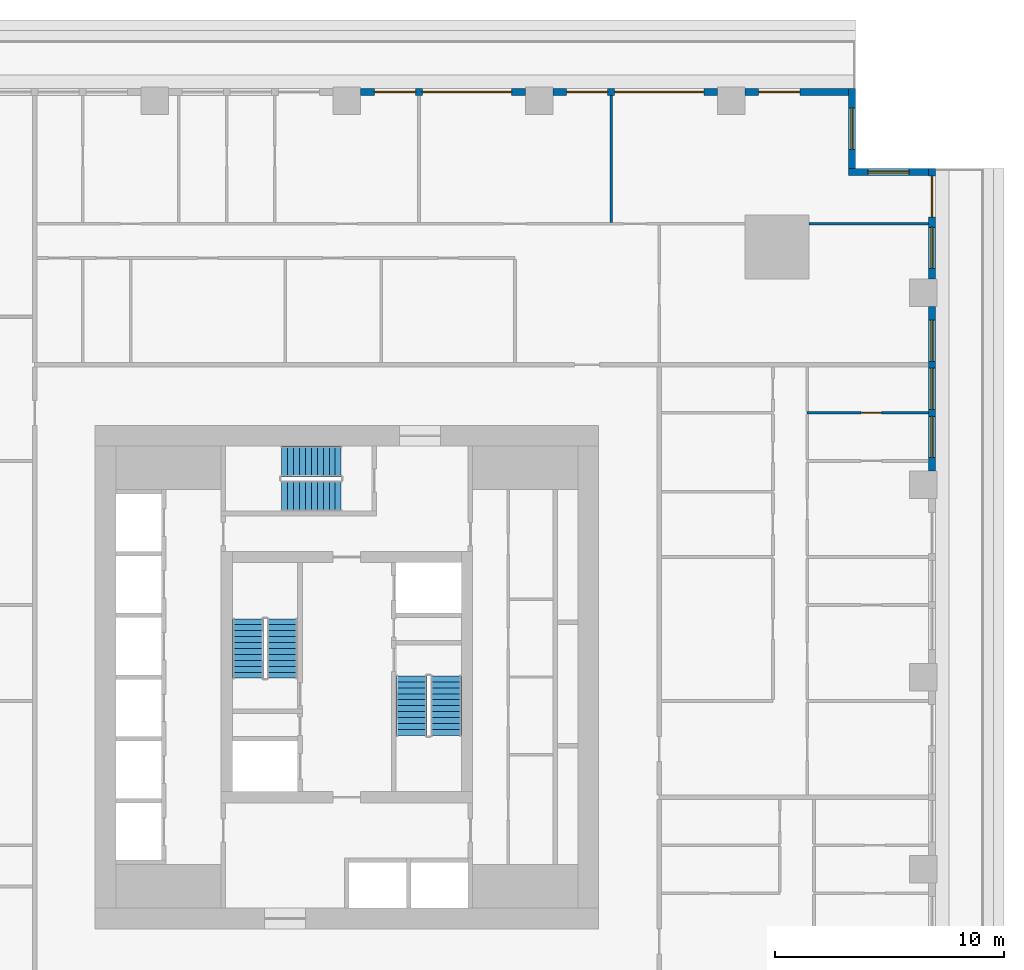
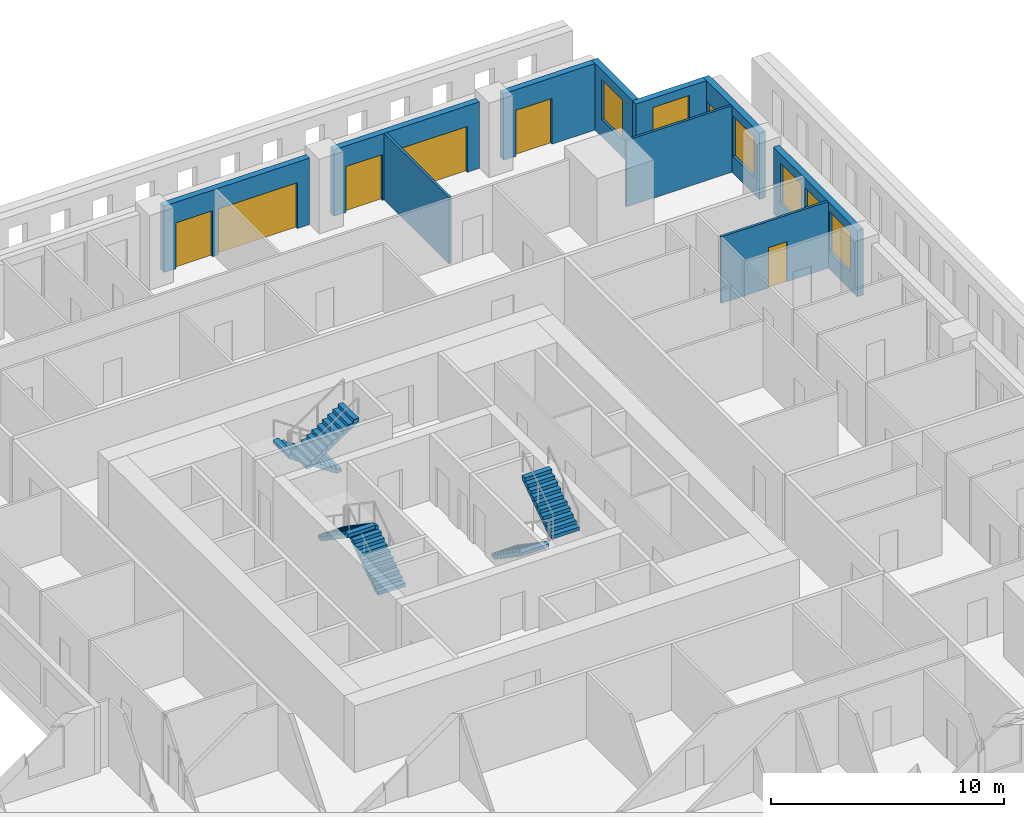
# One storey, part 9 of 14: 10 walls, 7 doors, 6 stair flights, 6 windows, 13 openings, 3 elements without a shape of their own.
"""IFC4 building model written with IfcOpenShell, lengths in metres."""

from ifc_helpers import new_model, si_unit, direction, frame, frame_2d, origin, place, context, subcontext, project, spatial, polyline, rectangle, outline, extrude, material, layer, layer_set, type_object, element, fill, aggregate, save


model = new_model("IFC4")

# Units and contexts
model_context = context("Model", 3, precision=1e-05, world=origin(), true_north=direction((0.0, 1.0)))
body_context = subcontext(model_context, "Body", "Model", "MODEL_VIEW")
ifc_project = project(units=[si_unit("LENGTHUNIT", "METRE"), si_unit("AREAUNIT", "SQUARE_METRE"), si_unit("VOLUMEUNIT", "CUBIC_METRE"), si_unit("PLANEANGLEUNIT", "RADIAN"), si_unit("MASSUNIT", "GRAM", prefix="KILO")], contexts=[model_context])

# Site, building, storey
site_placement = place(None, origin())
site = spatial("IfcSite", under=ifc_project, at=site_placement, CompositionType="ELEMENT")
building_placement = place(site_placement, origin())
building = spatial("IfcBuilding", under=site, at=building_placement, Name="Khepri Terraces", CompositionType="ELEMENT")
storey_placement = place(building_placement, frame((0.0, 0.0, 90.89990234375)))
storey = spatial("IfcBuildingStorey", under=building, at=storey_placement, Name="L21", CompositionType="ELEMENT", Elevation=90.89990234375)

# Wall, openings, windows
ifc_material_1 = material(Name="Precast concrete C50/60 warm stone", Category="masonry")
ifc_layer_1 = layer(ifc_material_1, 0.300048828125, Name="Precast concrete C50/60 warm stone", Category="masonry")
ifc_layer_set_1 = layer_set([ifc_layer_1], Name="Precast concrete C50/60 warm stone")
wall_type_1 = type_object("IfcWallType", Name="WL-EXT-PRECAST-300", PredefinedType="STANDARD", material=ifc_layer_set_1)
wall_1_placement = place(storey_placement, frame((25.570068359375, 9.0, 0.0), z_axis=(0.0, 0.0, 1.0), x_axis=(0.0, 1.0, 0.0)))
wall_1 = element("IfcWall", 1, at=wall_1_placement, inside=storey, type_object=wall_type_1, Name="External wall L21 E", PredefinedType="STANDARD", context=body_context, shape_type="SweptSolid", body=[
    extrude(rectangle(XDim=7.199951171875, YDim=0.300048828125, at=frame_2d((3.60009765625, 0.0))), origin(), (0.0, 0.0, 1.0), 3.47998046875),
])
opening_1_placement = place(wall_1_placement, frame((0.60009765625, 0.0, 0.89990234375)))
opening_1 = element("IfcOpeningElement", 2, at=opening_1_placement, cuts=wall_1, Name="Opening W1", PredefinedType="OPENING", context=body_context, shape_type="SweptSolid", body=[
    extrude(rectangle(XDim=1.800048828125, YDim=2.10009765625, at=frame_2d((0.89990234375, 1.050048828125))), frame((0.0, 0.16015625, 0.0), z_axis=(0.0, -1.0, 0.0), x_axis=(1.0, 0.0, 0.0)), (0.0, 0.0, 1.0), 0.320068359375),
])
opening_2_placement = place(wall_1_placement, frame((2.699951171875, 0.0, 0.89990234375)))
opening_2 = element("IfcOpeningElement", 3, at=opening_2_placement, cuts=wall_1, Name="Opening W1", PredefinedType="OPENING", context=body_context, shape_type="SweptSolid", body=[
    extrude(rectangle(XDim=1.800048828125, YDim=2.10009765625, at=frame_2d((0.89990234375, 1.050048828125))), frame((0.0, 0.16015625, 0.0), z_axis=(0.0, -1.0, 0.0), x_axis=(1.0, 0.0, 0.0)), (0.0, 0.0, 1.0), 0.320068359375),
])
opening_3_placement = place(wall_1_placement, frame((4.800048828125, 0.0, 0.89990234375)))
opening_3 = element("IfcOpeningElement", 4, at=opening_3_placement, cuts=wall_1, Name="Opening W1", PredefinedType="OPENING", context=body_context, shape_type="SweptSolid", body=[
    extrude(rectangle(XDim=1.800048828125, YDim=2.10009765625, at=frame_2d((0.89990234375, 1.050048828125))), frame((0.0, 0.16015625, 0.0), z_axis=(0.0, -1.0, 0.0), x_axis=(1.0, 0.0, 0.0)), (0.0, 0.0, 1.0), 0.320068359375),
])
ifc_material_2 = material(Name="Clear glass", Category="glass")
window_type = type_object("IfcWindowType", Name="WIN-RES-1800x2100", PartitioningType="SINGLE_PANEL", PredefinedType="WINDOW", material=ifc_material_2)
window_1_placement = place(opening_1_placement, origin())
window_1 = element("IfcWindow", 5, at=window_1_placement, inside=storey, type_object=window_type, Name="Window L21 E", OverallHeight=2.10009765625, OverallWidth=1.800048828125, PartitioningType="SINGLE_PANEL", PredefinedType="WINDOW", context=body_context, shape_type="SweptSolid", body=[
    extrude(rectangle(XDim=1.800048828125, YDim=2.10009765625, at=frame_2d((0.89990234375, 1.050048828125))), frame((0.0, 0.030029296875, 0.0), z_axis=(0.0, -1.0, 0.0), x_axis=(1.0, 0.0, 0.0)), (0.0, 0.0, 1.0), 0.06005859375),
])
fill(opening_1, window_1)
window_2_placement = place(opening_2_placement, origin())
window_2 = element("IfcWindow", 6, at=window_2_placement, inside=storey, type_object=window_type, Name="Window L21 E", OverallHeight=2.10009765625, OverallWidth=1.800048828125, PartitioningType="SINGLE_PANEL", PredefinedType="WINDOW", context=body_context, shape_type="SweptSolid", body=[
    extrude(rectangle(XDim=1.800048828125, YDim=2.10009765625, at=frame_2d((0.89990234375, 1.050048828125))), frame((0.0, 0.030029296875, 0.0), z_axis=(0.0, -1.0, 0.0), x_axis=(1.0, 0.0, 0.0)), (0.0, 0.0, 1.0), 0.06005859375),
])
fill(opening_2, window_2)
window_3_placement = place(opening_3_placement, origin())
window_3 = element("IfcWindow", 7, at=window_3_placement, inside=storey, type_object=window_type, Name="Window L21 E", OverallHeight=2.10009765625, OverallWidth=1.800048828125, PartitioningType="SINGLE_PANEL", PredefinedType="WINDOW", context=body_context, shape_type="SweptSolid", body=[
    extrude(rectangle(XDim=1.800048828125, YDim=2.10009765625, at=frame_2d((0.89990234375, 1.050048828125))), frame((0.0, 0.030029296875, 0.0), z_axis=(0.0, -1.0, 0.0), x_axis=(1.0, 0.0, 0.0)), (0.0, 0.0, 1.0), 0.06005859375),
])
fill(opening_3, window_3)

# Wall, openings, door, window
wall_2_placement = place(storey_placement, frame((25.570068359375, 17.39990234375, 0.0), z_axis=(0.0, 0.0, 1.0), x_axis=(0.0, 1.0, 0.0)))
wall_2 = element("IfcWall", 8, at=wall_2_placement, inside=storey, type_object=wall_type_1, Name="External wall L21 E", PredefinedType="STANDARD", context=body_context, shape_type="SweptSolid", body=[
    extrude(rectangle(XDim=4.820068359375, YDim=0.300048828125, at=frame_2d((2.41015625, 0.0))), origin(), (0.0, 0.0, 1.0), 3.47998046875),
])
opening_4_placement = place(wall_2_placement, frame((2.699951171875, 0.0, 0.0)))
opening_4 = element("IfcOpeningElement", 9, at=opening_4_placement, cuts=wall_2, Name="Opening ED-L21-06", PredefinedType="OPENING", context=body_context, shape_type="SweptSolid", body=[
    extrude(rectangle(XDim=1.800048828125, YDim=2.39990234375, at=frame_2d((0.89990234375, 1.199951171875))), frame((0.0, 0.16015625, 0.0), z_axis=(0.0, -1.0, 0.0), x_axis=(1.0, 0.0, 0.0)), (0.0, 0.0, 1.0), 0.320068359375),
])
opening_5_placement = place(wall_2_placement, frame((0.4599609375, 0.0, 0.89990234375)))
opening_5 = element("IfcOpeningElement", 10, at=opening_5_placement, cuts=wall_2, Name="Opening W1", PredefinedType="OPENING", context=body_context, shape_type="SweptSolid", body=[
    extrude(rectangle(XDim=1.800048828125, YDim=2.10009765625, at=frame_2d((0.89990234375, 1.050048828125))), frame((0.0, 0.16015625, 0.0), z_axis=(0.0, -1.0, 0.0), x_axis=(1.0, 0.0, 0.0)), (0.0, 0.0, 1.0), 0.320068359375),
])
ifc_material_3 = material(Name="Anodised aluminium bronze glazed door", Category="aluminium")
door_type_1 = type_object("IfcDoorType", Name="DR-BAL-SLIDE-1800x2400", OperationType="NOTDEFINED", PredefinedType="DOOR", material=ifc_material_3)
door_1_placement = place(opening_4_placement, origin())
door_1 = element("IfcDoor", 11, at=door_1_placement, inside=storey, type_object=door_type_1, Name="Balcony door L21 E", OperationType="SLIDING_TO_LEFT", OverallHeight=2.39990234375, OverallWidth=1.800048828125, PredefinedType="DOOR", context=body_context, shape_type="SweptSolid", body=[
    extrude(rectangle(XDim=1.800048828125, YDim=2.39990234375, at=frame_2d((0.89990234375, 1.199951171875))), frame((0.0, 0.02490234375, 0.0), z_axis=(0.0, -1.0, 0.0), x_axis=(1.0, 0.0, 0.0)), (0.0, 0.0, 1.0), 0.050048828125),
])
fill(opening_4, door_1)
window_4_placement = place(opening_5_placement, origin())
window_4 = element("IfcWindow", 12, at=window_4_placement, inside=storey, type_object=window_type, Name="Window L21 E", OverallHeight=2.10009765625, OverallWidth=1.800048828125, PartitioningType="SINGLE_PANEL", PredefinedType="WINDOW", context=body_context, shape_type="SweptSolid", body=[
    extrude(rectangle(XDim=1.800048828125, YDim=2.10009765625, at=frame_2d((0.89990234375, 1.050048828125))), frame((0.0, 0.030029296875, 0.0), z_axis=(0.0, -1.0, 0.0), x_axis=(1.0, 0.0, 0.0)), (0.0, 0.0, 1.0), 0.06005859375),
])
fill(opening_5, window_4)

# Wall, opening, window
wall_3_placement = place(storey_placement, frame((25.419921875, 22.070068359375, 0.0), z_axis=(0.0, 0.0, 1.0), x_axis=(-1.0, 0.0, 0.0)))
wall_3 = element("IfcWall", 13, at=wall_3_placement, inside=storey, type_object=wall_type_1, Name="External wall L21 N", PredefinedType="STANDARD", context=body_context, shape_type="SweptSolid", body=[
    extrude(rectangle(XDim=3.5, YDim=0.300048828125, at=frame_2d((1.75, 0.0))), origin(), (0.0, 0.0, 1.0), 3.47998046875),
])
opening_6_placement = place(wall_3_placement, frame((0.85009765625, 0.0, 0.89990234375)))
opening_6 = element("IfcOpeningElement", 14, at=opening_6_placement, cuts=wall_3, Name="Opening W1", PredefinedType="OPENING", context=body_context, shape_type="SweptSolid", body=[
    extrude(rectangle(XDim=1.800048828125, YDim=2.10009765625, at=frame_2d((0.89990234375, 1.050048828125))), frame((0.0, 0.16015625, 0.0), z_axis=(0.0, -1.0, 0.0), x_axis=(1.0, 0.0, 0.0)), (0.0, 0.0, 1.0), 0.320068359375),
])
window_5_placement = place(opening_6_placement, origin())
window_5 = element("IfcWindow", 15, at=window_5_placement, inside=storey, type_object=window_type, Name="Window L21 N", OverallHeight=2.10009765625, OverallWidth=1.800048828125, PartitioningType="SINGLE_PANEL", PredefinedType="WINDOW", context=body_context, shape_type="SweptSolid", body=[
    extrude(rectangle(XDim=1.800048828125, YDim=2.10009765625, at=frame_2d((0.89990234375, 1.050048828125))), frame((0.0, 0.030029296875, 0.0), z_axis=(0.0, -1.0, 0.0), x_axis=(1.0, 0.0, 0.0)), (0.0, 0.0, 1.0), 0.06005859375),
])
fill(opening_6, window_5)

wall_4_placement = place(storey_placement, frame((22.070068359375, 22.219970703125, 0.0), z_axis=(0.0, 0.0, 1.0), x_axis=(0.0, 1.0, 0.0)))
wall_4 = element("IfcWall", 16, at=wall_4_placement, inside=storey, type_object=wall_type_1, Name="External wall L21 E", PredefinedType="STANDARD", context=body_context, shape_type="SweptSolid", body=[
    extrude(rectangle(XDim=3.5, YDim=0.300048828125, at=frame_2d((1.75, 0.0))), origin(), (0.0, 0.0, 1.0), 3.47998046875),
])
opening_7_placement = place(wall_4_placement, frame((0.85009765625, 0.0, 0.89990234375)))
opening_7 = element("IfcOpeningElement", 17, at=opening_7_placement, cuts=wall_4, Name="Opening W1", PredefinedType="OPENING", context=body_context, shape_type="SweptSolid", body=[
    extrude(rectangle(XDim=1.800048828125, YDim=2.10009765625, at=frame_2d((0.89990234375, 1.050048828125))), frame((0.0, 0.16015625, 0.0), z_axis=(0.0, -1.0, 0.0), x_axis=(1.0, 0.0, 0.0)), (0.0, 0.0, 1.0), 0.320068359375),
])
window_6_placement = place(opening_7_placement, origin())
window_6 = element("IfcWindow", 18, at=window_6_placement, inside=storey, type_object=window_type, Name="Window L21 E", OverallHeight=2.10009765625, OverallWidth=1.800048828125, PartitioningType="SINGLE_PANEL", PredefinedType="WINDOW", context=body_context, shape_type="SweptSolid", body=[
    extrude(rectangle(XDim=1.800048828125, YDim=2.10009765625, at=frame_2d((0.89990234375, 1.050048828125))), frame((0.0, 0.030029296875, 0.0), z_axis=(0.0, -1.0, 0.0), x_axis=(1.0, 0.0, 0.0)), (0.0, 0.0, 1.0), 0.06005859375),
])
fill(opening_7, window_6)

# Wall, opening, door
wall_5_placement = place(storey_placement, frame((21.919921875, 25.570068359375, 0.0), z_axis=(0.0, 0.0, 1.0), x_axis=(-1.0, 0.0, 0.0)))
wall_5 = element("IfcWall", 19, at=wall_5_placement, inside=storey, type_object=wall_type_1, Name="External wall L21 N", PredefinedType="STANDARD", context=body_context, shape_type="SweptSolid", body=[
    extrude(rectangle(XDim=4.52001953125, YDim=0.300048828125, at=frame_2d((2.260009765625, 0.0))), origin(), (0.0, 0.0, 1.0), 3.47998046875),
])
opening_8_placement = place(wall_5_placement, frame((2.1201171875, 0.0, 0.0)))
opening_8 = element("IfcOpeningElement", 20, at=opening_8_placement, cuts=wall_5, Name="Opening ED-L21-07", PredefinedType="OPENING", context=body_context, shape_type="SweptSolid", body=[
    extrude(rectangle(XDim=1.800048828125, YDim=2.39990234375, at=frame_2d((0.89990234375, 1.199951171875))), frame((0.0, 0.16015625, 0.0), z_axis=(0.0, -1.0, 0.0), x_axis=(1.0, 0.0, 0.0)), (0.0, 0.0, 1.0), 0.320068359375),
])
door_2_placement = place(opening_8_placement, origin())
door_2 = element("IfcDoor", 21, at=door_2_placement, inside=storey, type_object=door_type_1, Name="Balcony door L21 N", OperationType="SLIDING_TO_RIGHT", OverallHeight=2.39990234375, OverallWidth=1.800048828125, PredefinedType="DOOR", context=body_context, shape_type="SweptSolid", body=[
    extrude(rectangle(XDim=1.800048828125, YDim=2.39990234375, at=frame_2d((0.89990234375, 1.199951171875))), frame((0.0, 0.02490234375, 0.0), z_axis=(0.0, -1.0, 0.0), x_axis=(1.0, 0.0, 0.0)), (0.0, 0.0, 1.0), 0.050048828125),
])
fill(opening_8, door_2)

# Wall, openings, doors
wall_6_placement = place(storey_placement, frame((16.199951171875, 25.570068359375, 0.0), z_axis=(0.0, 0.0, 1.0), x_axis=(-1.0, 0.0, 0.0)))
wall_6 = element("IfcWall", 22, at=wall_6_placement, inside=storey, type_object=wall_type_1, Name="External wall L21 N", PredefinedType="STANDARD", context=body_context, shape_type="SweptSolid", body=[
    extrude(rectangle(XDim=7.199951171875, YDim=0.300048828125, at=frame_2d((3.60009765625, 0.0))), origin(), (0.0, 0.0, 1.0), 3.47998046875),
])
opening_9_placement = place(wall_6_placement, frame((0.60009765625, 0.0, 0.0)))
opening_9 = element("IfcOpeningElement", 23, at=opening_9_placement, cuts=wall_6, Name="Opening ED-L21-08", PredefinedType="OPENING", context=body_context, shape_type="SweptSolid", body=[
    extrude(rectangle(XDim=3.89990234375, YDim=2.39990234375, at=frame_2d((1.949951171875, 1.199951171875))), frame((0.0, 0.16015625, 0.0), z_axis=(0.0, -1.0, 0.0), x_axis=(1.0, 0.0, 0.0)), (0.0, 0.0, 1.0), 0.320068359375),
])
opening_10_placement = place(wall_6_placement, frame((4.800048828125, 0.0, 0.0)))
opening_10 = element("IfcOpeningElement", 24, at=opening_10_placement, cuts=wall_6, Name="Opening ED-L21-09", PredefinedType="OPENING", context=body_context, shape_type="SweptSolid", body=[
    extrude(rectangle(XDim=1.800048828125, YDim=2.39990234375, at=frame_2d((0.89990234375, 1.199951171875))), frame((0.0, 0.16015625, 0.0), z_axis=(0.0, -1.0, 0.0), x_axis=(1.0, 0.0, 0.0)), (0.0, 0.0, 1.0), 0.320068359375),
])
door_3_placement = place(opening_10_placement, origin())
door_3 = element("IfcDoor", 25, at=door_3_placement, inside=storey, type_object=door_type_1, Name="Balcony door L21 N", OperationType="SLIDING_TO_RIGHT", OverallHeight=2.39990234375, OverallWidth=1.800048828125, PredefinedType="DOOR", context=body_context, shape_type="SweptSolid", body=[
    extrude(rectangle(XDim=1.800048828125, YDim=2.39990234375, at=frame_2d((0.89990234375, 1.199951171875))), frame((0.0, 0.02490234375, 0.0), z_axis=(0.0, -1.0, 0.0), x_axis=(1.0, 0.0, 0.0)), (0.0, 0.0, 1.0), 0.050048828125),
])
fill(opening_10, door_3)
door_type_2 = type_object("IfcDoorType", Name="DR-BAL-SLIDE-3900x2400", OperationType="NOTDEFINED", PredefinedType="DOOR", material=ifc_material_3)
door_4_placement = place(opening_9_placement, origin())
door_4 = element("IfcDoor", 26, at=door_4_placement, inside=storey, type_object=door_type_2, Name="Balcony door L21 N", OperationType="SLIDING_TO_LEFT", OverallHeight=2.39990234375, OverallWidth=3.89990234375, PredefinedType="DOOR", context=body_context, shape_type="SweptSolid", body=[
    extrude(rectangle(XDim=3.89990234375, YDim=2.39990234375, at=frame_2d((1.949951171875, 1.199951171875))), frame((0.0, 0.02490234375, 0.0), z_axis=(0.0, -1.0, 0.0), x_axis=(1.0, 0.0, 0.0)), (0.0, 0.0, 1.0), 0.050048828125),
])
fill(opening_9, door_4)

wall_7_placement = place(storey_placement, frame((7.800048828125, 25.570068359375, 0.0), z_axis=(0.0, 0.0, 1.0), x_axis=(-1.0, 0.0, 0.0)))
wall_7 = element("IfcWall", 27, at=wall_7_placement, inside=storey, type_object=wall_type_1, Name="External wall L21 N", PredefinedType="STANDARD", context=body_context, shape_type="SweptSolid", body=[
    extrude(rectangle(XDim=7.199951171875, YDim=0.300048828125, at=frame_2d((3.60009765625, 0.0))), origin(), (0.0, 0.0, 1.0), 3.47998046875),
])
opening_11_placement = place(wall_7_placement, frame((0.60009765625, 0.0, 0.0)))
opening_11 = element("IfcOpeningElement", 28, at=opening_11_placement, cuts=wall_7, Name="Opening ED-L21-10", PredefinedType="OPENING", context=body_context, shape_type="SweptSolid", body=[
    extrude(rectangle(XDim=3.89990234375, YDim=2.39990234375, at=frame_2d((1.949951171875, 1.199951171875))), frame((0.0, 0.16015625, 0.0), z_axis=(0.0, -1.0, 0.0), x_axis=(1.0, 0.0, 0.0)), (0.0, 0.0, 1.0), 0.320068359375),
])
opening_12_placement = place(wall_7_placement, frame((4.800048828125, 0.0, 0.0)))
opening_12 = element("IfcOpeningElement", 29, at=opening_12_placement, cuts=wall_7, Name="Opening ED-L21-11", PredefinedType="OPENING", context=body_context, shape_type="SweptSolid", body=[
    extrude(rectangle(XDim=1.800048828125, YDim=2.39990234375, at=frame_2d((0.89990234375, 1.199951171875))), frame((0.0, 0.16015625, 0.0), z_axis=(0.0, -1.0, 0.0), x_axis=(1.0, 0.0, 0.0)), (0.0, 0.0, 1.0), 0.320068359375),
])
door_5_placement = place(opening_12_placement, origin())
door_5 = element("IfcDoor", 30, at=door_5_placement, inside=storey, type_object=door_type_1, Name="Balcony door L21 N", OperationType="SLIDING_TO_RIGHT", OverallHeight=2.39990234375, OverallWidth=1.800048828125, PredefinedType="DOOR", context=body_context, shape_type="SweptSolid", body=[
    extrude(rectangle(XDim=1.800048828125, YDim=2.39990234375, at=frame_2d((0.89990234375, 1.199951171875))), frame((0.0, 0.02490234375, 0.0), z_axis=(0.0, -1.0, 0.0), x_axis=(1.0, 0.0, 0.0)), (0.0, 0.0, 1.0), 0.050048828125),
])
fill(opening_12, door_5)
door_6_placement = place(opening_11_placement, origin())
door_6 = element("IfcDoor", 31, at=door_6_placement, inside=storey, type_object=door_type_2, Name="Balcony door L21 N", OperationType="SLIDING_TO_LEFT", OverallHeight=2.39990234375, OverallWidth=3.89990234375, PredefinedType="DOOR", context=body_context, shape_type="SweptSolid", body=[
    extrude(rectangle(XDim=3.89990234375, YDim=2.39990234375, at=frame_2d((1.949951171875, 1.199951171875))), frame((0.0, 0.02490234375, 0.0), z_axis=(0.0, -1.0, 0.0), x_axis=(1.0, 0.0, 0.0)), (0.0, 0.0, 1.0), 0.050048828125),
])
fill(opening_11, door_6)

# Wall, opening, door
ifc_material_4 = material(Name="Gypsum plasterboard partition")
ifc_layer_2 = layer(ifc_material_4, 0.1201171875, Name="Gypsum plasterboard partition")
ifc_layer_set_2 = layer_set([ifc_layer_2], Name="Gypsum plasterboard partition")
wall_type_2 = type_object("IfcWallType", Name="WL-PART-120", PredefinedType="PARTITIONING", material=ifc_layer_set_2)
wall_8_placement = place(storey_placement, frame((20.1201171875, 11.550048828125, 0.0), z_axis=(0.0, 0.0, 1.0), x_axis=(1.0, 0.0, 0.0)))
wall_8 = element("IfcWall", 32, at=wall_8_placement, inside=storey, type_object=wall_type_2, Name="Partition P-070 L21", PredefinedType="PARTITIONING", context=body_context, shape_type="SweptSolid", body=[
    extrude(rectangle(XDim=5.2998046875, YDim=0.1201171875, at=frame_2d((2.64990234375, 0.0))), origin(), (0.0, 0.0, 1.0), 3.47998046875),
])
opening_13_placement = place(wall_8_placement, frame((2.35009765625, 0.0, 0.0)))
opening_13 = element("IfcOpeningElement", 33, at=opening_13_placement, cuts=wall_8, Name="Opening D4", PredefinedType="OPENING", context=body_context, shape_type="SweptSolid", body=[
    extrude(rectangle(XDim=0.89990234375, YDim=2.10009765625, at=frame_2d((0.449951171875, 1.050048828125))), frame((0.0, 0.070068359375, 0.0), z_axis=(0.0, -1.0, 0.0), x_axis=(1.0, 0.0, 0.0)), (0.0, 0.0, 1.0), 0.14013671875),
])
ifc_material_5 = material(Name="Timber door leaf, moisture resistant", Category="wood")
door_type_3 = type_object("IfcDoorType", Name="DR-WET-900", OperationType="NOTDEFINED", PredefinedType="DOOR", material=ifc_material_5)
door_7_placement = place(opening_13_placement, origin())
door_7 = element("IfcDoor", 34, at=door_7_placement, inside=storey, type_object=door_type_3, Name="Door Bathroom", OperationType="SINGLE_SWING_RIGHT", OverallHeight=2.10009765625, OverallWidth=0.89990234375, PredefinedType="DOOR", context=body_context, shape_type="SweptSolid", body=[
    extrude(rectangle(XDim=0.89990234375, YDim=2.10009765625, at=frame_2d((0.449951171875, 1.050048828125))), frame((0.0, 0.02490234375, 0.0), z_axis=(0.0, -1.0, 0.0), x_axis=(1.0, 0.0, 0.0)), (0.0, 0.0, 1.0), 0.050048828125),
])
fill(opening_13, door_7)

# Walls
wall_9_placement = place(storey_placement, frame((20.199951171875, 19.820068359375, 0.0), z_axis=(0.0, 0.0, 1.0), x_axis=(1.0, 0.0, 0.0)))
element("IfcWall", 35, at=wall_9_placement, inside=storey, type_object=wall_type_2, Name="Partition P-087 L21", PredefinedType="PARTITIONING", context=body_context, shape_type="SweptSolid", body=[
    extrude(rectangle(XDim=5.219970703125, YDim=0.1201171875, at=frame_2d((2.60986328125, 0.0))), origin(), (0.0, 0.0, 1.0), 3.47998046875),
])
wall_10_placement = place(storey_placement, frame((11.550048828125, 19.8798828125, 0.0), z_axis=(0.0, 0.0, 1.0), x_axis=(0.0, 1.0, 0.0)))
element("IfcWall", 36, at=wall_10_placement, inside=storey, type_object=wall_type_2, Name="Partition P-093 L21", PredefinedType="PARTITIONING", context=body_context, shape_type="SweptSolid", body=[
    extrude(rectangle(XDim=5.5400390625, YDim=0.1201171875, at=frame_2d((2.77001953125, 0.0))), origin(), (0.0, 0.0, 1.0), 3.47998046875),
])

# Stair, stair flights
ifc_material_6 = material(Name="Concrete C40/50", Category="concrete")
stair_type = type_object("IfcStairType", Name="STAIR-RC-22R", PredefinedType="HALF_TURN_STAIR", material=ifc_material_6)
stair_1_placement = place(storey_placement, origin())
stair_1 = element("IfcStair", 37, at=stair_1_placement, inside=storey, type_object=stair_type, Name="L21 Exit Stair ST-1", PredefinedType="HALF_TURN_STAIR")
stair_flight_type = type_object("IfcStairFlightType", Name="SFL-RC-177.3", PredefinedType="STRAIGHT", material=ifc_material_6)
stair_flight_1_placement = place(storey_placement, frame((-2.824951171875, -0.050048828125, 0.0), z_axis=(0.0, 0.0, 1.0), x_axis=(0.0, 1.0, 0.0)))
stair_flight_1 = element("IfcStairFlight", 38, at=stair_flight_1_placement, type_object=stair_flight_type, Name="ST-1 flight 1", NumberOfRisers=11, NumberOfTreads=10, PredefinedType="STRAIGHT", RiserHeight=0.177272727, TreadLength=0.26, context=body_context, shape_type="SweptSolid", body=[
    extrude(outline(polyline([(0.0, 0.0), (0.0, 0.17724609375), (0.260009765625, 0.17724609375), (0.260009765625, 0.3544921875), (0.52001953125, 0.3544921875), (0.52001953125, 0.53173828125), (0.780029296875, 0.53173828125), (0.780029296875, 0.708984375), (1.0400390625, 0.708984375), (1.0400390625, 0.886474609375), (1.300048828125, 0.886474609375), (1.300048828125, 1.063720703125), (1.56005859375, 1.063720703125), (1.56005859375, 1.240966796875), (1.820068359375, 1.240966796875), (1.820068359375, 1.418212890625), (2.080078125, 1.418212890625), (2.080078125, 1.595458984375), (2.340087890625, 1.595458984375), (2.340087890625, 1.772705078125), (2.60009765625, 1.772705078125), (2.60009765625, 1.949951171875), (2.60009765625, 1.59130859375), (0.26611328125, 0.0), (0.0, 0.0)])), frame((0.0, 0.675048828125, 0.0), z_axis=(0.0, -1.0, 0.0), x_axis=(1.0, 0.0, 0.0)), (0.0, 0.0, 1.0), 1.35009765625),
])
stair_flight_2_placement = place(storey_placement, frame((-4.324951171875, 2.550048828125, 1.9501953125), z_axis=(0.0, 0.0, 1.0), x_axis=(0.0, -1.0, 0.0)))
stair_flight_2 = element("IfcStairFlight", 39, at=stair_flight_2_placement, type_object=stair_flight_type, Name="ST-1 flight 2", NumberOfRisers=11, NumberOfTreads=10, PredefinedType="STRAIGHT", RiserHeight=0.177272727, TreadLength=0.26, context=body_context, shape_type="SweptSolid", body=[
    extrude(outline(polyline([(0.0, 0.0), (0.0, 0.17724609375), (0.260009765625, 0.17724609375), (0.260009765625, 0.3544921875), (0.52001953125, 0.3544921875), (0.52001953125, 0.53173828125), (0.780029296875, 0.53173828125), (0.780029296875, 0.708984375), (1.0400390625, 0.708984375), (1.0400390625, 0.886474609375), (1.300048828125, 0.886474609375), (1.300048828125, 1.063720703125), (1.56005859375, 1.063720703125), (1.56005859375, 1.240966796875), (1.820068359375, 1.240966796875), (1.820068359375, 1.418212890625), (2.080078125, 1.418212890625), (2.080078125, 1.595458984375), (2.340087890625, 1.595458984375), (2.340087890625, 1.772705078125), (2.60009765625, 1.772705078125), (2.60009765625, 1.949951171875), (2.60009765625, 1.59130859375), (0.26611328125, 0.0), (0.0, 0.0)])), frame((0.0, 0.675048828125, 0.0), z_axis=(0.0, -1.0, 0.0), x_axis=(1.0, 0.0, 0.0)), (0.0, 0.0, 1.0), 1.35009765625),
])
aggregate(stair_1, [stair_flight_1, stair_flight_2])

stair_2_placement = place(storey_placement, origin())
stair_2 = element("IfcStair", 40, at=stair_2_placement, inside=storey, type_object=stair_type, Name="L21 Exit Stair ST-2", PredefinedType="HALF_TURN_STAIR")
stair_flight_3_placement = place(storey_placement, frame((2.824951171875, 0.050048828125, 0.0), z_axis=(0.0, 0.0, 1.0), x_axis=(0.0, -1.0, 0.0)))
stair_flight_3 = element("IfcStairFlight", 41, at=stair_flight_3_placement, type_object=stair_flight_type, Name="ST-2 flight 1", NumberOfRisers=11, NumberOfTreads=10, PredefinedType="STRAIGHT", RiserHeight=0.177272727, TreadLength=0.26, context=body_context, shape_type="SweptSolid", body=[
    extrude(outline(polyline([(0.0, 0.0), (0.0, 0.17724609375), (0.260009765625, 0.17724609375), (0.260009765625, 0.3544921875), (0.52001953125, 0.3544921875), (0.52001953125, 0.53173828125), (0.780029296875, 0.53173828125), (0.780029296875, 0.708984375), (1.0400390625, 0.708984375), (1.0400390625, 0.886474609375), (1.300048828125, 0.886474609375), (1.300048828125, 1.063720703125), (1.56005859375, 1.063720703125), (1.56005859375, 1.240966796875), (1.820068359375, 1.240966796875), (1.820068359375, 1.418212890625), (2.080078125, 1.418212890625), (2.080078125, 1.595458984375), (2.340087890625, 1.595458984375), (2.340087890625, 1.772705078125), (2.60009765625, 1.772705078125), (2.60009765625, 1.949951171875), (2.60009765625, 1.59130859375), (0.26611328125, 0.0), (0.0, 0.0)])), frame((0.0, 0.675048828125, 0.0), z_axis=(0.0, -1.0, 0.0), x_axis=(1.0, 0.0, 0.0)), (0.0, 0.0, 1.0), 1.35009765625),
])
stair_flight_4_placement = place(storey_placement, frame((4.324951171875, -2.550048828125, 1.9501953125), z_axis=(0.0, 0.0, 1.0), x_axis=(0.0, 1.0, 0.0)))
stair_flight_4 = element("IfcStairFlight", 42, at=stair_flight_4_placement, type_object=stair_flight_type, Name="ST-2 flight 2", NumberOfRisers=11, NumberOfTreads=10, PredefinedType="STRAIGHT", RiserHeight=0.177272727, TreadLength=0.26, context=body_context, shape_type="SweptSolid", body=[
    extrude(outline(polyline([(0.0, 0.0), (0.0, 0.17724609375), (0.260009765625, 0.17724609375), (0.260009765625, 0.3544921875), (0.52001953125, 0.3544921875), (0.52001953125, 0.53173828125), (0.780029296875, 0.53173828125), (0.780029296875, 0.708984375), (1.0400390625, 0.708984375), (1.0400390625, 0.886474609375), (1.300048828125, 0.886474609375), (1.300048828125, 1.063720703125), (1.56005859375, 1.063720703125), (1.56005859375, 1.240966796875), (1.820068359375, 1.240966796875), (1.820068359375, 1.418212890625), (2.080078125, 1.418212890625), (2.080078125, 1.595458984375), (2.340087890625, 1.595458984375), (2.340087890625, 1.772705078125), (2.60009765625, 1.772705078125), (2.60009765625, 1.949951171875), (2.60009765625, 1.59130859375), (0.26611328125, 0.0), (0.0, 0.0)])), frame((0.0, 0.675048828125, 0.0), z_axis=(0.0, -1.0, 0.0), x_axis=(1.0, 0.0, 0.0)), (0.0, 0.0, 1.0), 1.35009765625),
])
aggregate(stair_2, [stair_flight_3, stair_flight_4])

stair_3_placement = place(storey_placement, origin())
stair_3 = element("IfcStair", 43, at=stair_3_placement, inside=storey, type_object=stair_type, Name="L21 Exit Stair ST-3", PredefinedType="HALF_TURN_STAIR")
stair_flight_5_placement = place(storey_placement, frame((-0.25, 9.425048828125, 0.0), z_axis=(0.0, 0.0, 1.0), x_axis=(-1.0, 0.0, 0.0)))
stair_flight_5 = element("IfcStairFlight", 44, at=stair_flight_5_placement, type_object=stair_flight_type, Name="ST-3 flight 1", NumberOfRisers=11, NumberOfTreads=10, PredefinedType="STRAIGHT", RiserHeight=0.177272727, TreadLength=0.26, context=body_context, shape_type="SweptSolid", body=[
    extrude(outline(polyline([(0.0, 0.0), (0.0, 0.17724609375), (0.260009765625, 0.17724609375), (0.260009765625, 0.3544921875), (0.52001953125, 0.3544921875), (0.52001953125, 0.53173828125), (0.780029296875, 0.53173828125), (0.780029296875, 0.708984375), (1.0400390625, 0.708984375), (1.0400390625, 0.886474609375), (1.300048828125, 0.886474609375), (1.300048828125, 1.063720703125), (1.56005859375, 1.063720703125), (1.56005859375, 1.240966796875), (1.820068359375, 1.240966796875), (1.820068359375, 1.418212890625), (2.080078125, 1.418212890625), (2.080078125, 1.595458984375), (2.340087890625, 1.595458984375), (2.340087890625, 1.772705078125), (2.60009765625, 1.772705078125), (2.60009765625, 1.949951171875), (2.60009765625, 1.59130859375), (0.26611328125, 0.0), (0.0, 0.0)])), frame((0.0, 0.675048828125, 0.0), z_axis=(0.0, -1.0, 0.0), x_axis=(1.0, 0.0, 0.0)), (0.0, 0.0, 1.0), 1.35009765625),
])
stair_flight_6_placement = place(storey_placement, frame((-2.85009765625, 7.925048828125, 1.9501953125), z_axis=(0.0, 0.0, 1.0), x_axis=(1.0, 0.0, 0.0)))
stair_flight_6 = element("IfcStairFlight", 45, at=stair_flight_6_placement, type_object=stair_flight_type, Name="ST-3 flight 2", NumberOfRisers=11, NumberOfTreads=10, PredefinedType="STRAIGHT", RiserHeight=0.177272727, TreadLength=0.26, context=body_context, shape_type="SweptSolid", body=[
    extrude(outline(polyline([(0.0, 0.0), (0.0, 0.17724609375), (0.260009765625, 0.17724609375), (0.260009765625, 0.3544921875), (0.52001953125, 0.3544921875), (0.52001953125, 0.53173828125), (0.780029296875, 0.53173828125), (0.780029296875, 0.708984375), (1.0400390625, 0.708984375), (1.0400390625, 0.886474609375), (1.300048828125, 0.886474609375), (1.300048828125, 1.063720703125), (1.56005859375, 1.063720703125), (1.56005859375, 1.240966796875), (1.820068359375, 1.240966796875), (1.820068359375, 1.418212890625), (2.080078125, 1.418212890625), (2.080078125, 1.595458984375), (2.340087890625, 1.595458984375), (2.340087890625, 1.772705078125), (2.60009765625, 1.772705078125), (2.60009765625, 1.949951171875), (2.60009765625, 1.59130859375), (0.26611328125, 0.0), (0.0, 0.0)])), frame((0.0, 0.675048828125, 0.0), z_axis=(0.0, -1.0, 0.0), x_axis=(1.0, 0.0, 0.0)), (0.0, 0.0, 1.0), 1.35009765625),
])
aggregate(stair_3, [stair_flight_5, stair_flight_6])

save(model, "model.ifc")
